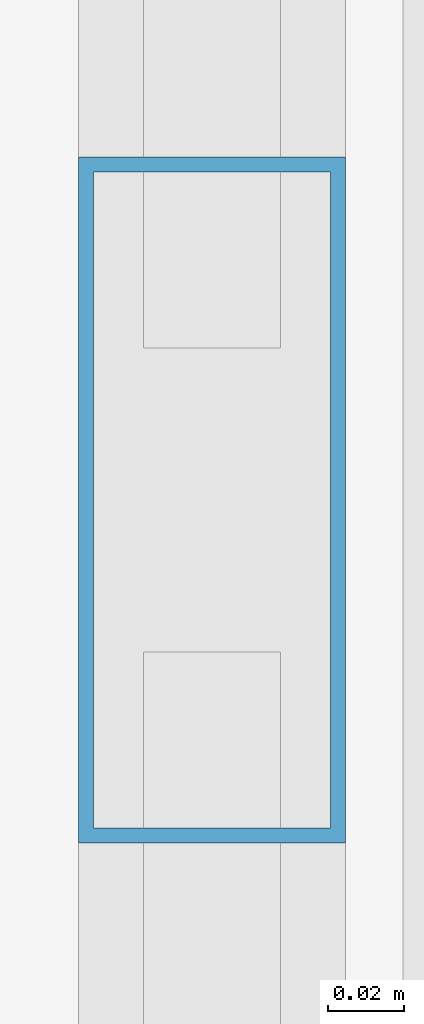
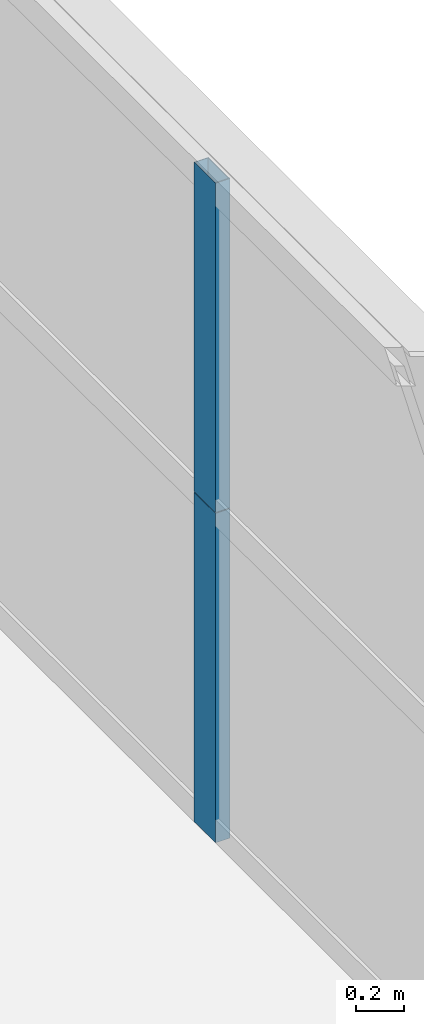
# One storey, part 17 of 38: 2 members, 1 element without a shape of its own.
"""IFC4 building model written with IfcOpenShell, lengths in metres."""

from ifc_helpers import new_model, si_unit, direction, frame, origin, origin_2d, place, context, subcontext, project, spatial, hollow_rectangle, extrude, source, transform, mapped, material, layer, layer_set, material_profile, profile_set, type_object, element, aggregate, save


model = new_model("IFC4")

# Units and contexts
model_context = context("Model", 3, precision=1e-05, world=origin(), true_north=direction((0.0, 1.0)))
body_context = subcontext(model_context, "Body", "Model", "MODEL_VIEW")
ifc_project = project(units=[si_unit("LENGTHUNIT", "METRE"), si_unit("AREAUNIT", "SQUARE_METRE"), si_unit("VOLUMEUNIT", "CUBIC_METRE"), si_unit("PLANEANGLEUNIT", "RADIAN"), si_unit("MASSUNIT", "GRAM", prefix="KILO"), si_unit("THERMODYNAMICTEMPERATUREUNIT", "KELVIN"), si_unit("POWERUNIT", "WATT")], contexts=[model_context])

# Site, building, storey
site_placement = place(None, origin())
site = spatial("IfcSite", under=ifc_project, at=site_placement, CompositionType="ELEMENT")
building_placement = place(site_placement, origin())
building = spatial("IfcBuilding", under=site, at=building_placement, Name="Yuzanri Waterfront Tower", CompositionType="ELEMENT")
storey_placement = place(building_placement, frame((0.0, 0.0, 97.39990234375)))
storey = spatial("IfcBuildingStorey", under=building, at=storey_placement, Name="L25", CompositionType="ELEMENT", Elevation=97.39990234375)

# Curtain wall, members
ifc_material_1 = material(Name="Anodized Architectural Bronze", Category="metal")
ifc_layer = layer(ifc_material_1, 0.159912109375)
ifc_layer_set = layer_set([ifc_layer], Name="Anodized Architectural Bronze")
curtain_wall_type = type_object("IfcCurtainWallType", Name="Anodized Bronze Hotel Upper-Tier Solar-Control Unitized Curtain Wall 7800", PredefinedType="NOTDEFINED", material=ifc_layer_set)
curtain_wall_placement = place(storey_placement, origin())
curtain_wall = element("IfcCurtainWall", 1, at=curtain_wall_placement, inside=storey, type_object=curtain_wall_type, Name="L25 Curtain Wall CW-L25-EL", PredefinedType="NOTDEFINED")
ifc_material_2 = material(Name="Anodized Architectural Bronze", Category="metal")
ifc_material_profile = material_profile(ifc_material_2, hollow_rectangle(XDim=0.070068359375, YDim=0.179931640625, WallThickness=0.00390625, at=origin_2d()), Name="CWM 70x180")
ifc_profile_set = profile_set([ifc_material_profile], Name="Anodized Architectural Bronze")
member_type = type_object("IfcMemberType", Name="Anodized Bronze Standard Curtain-Wall Mullion 70x180", PredefinedType="MULLION", material=ifc_profile_set)
shared_shape = source(origin(), body_context, "Body", "SweptSolid", [
    extrude(hollow_rectangle(XDim=0.070068359375, YDim=0.179931640625, WallThickness=0.00390625, at=origin_2d()), origin(), (0.0, 0.0, 1.0), 1.68798828125),
])
member_1_placement = place(storey_placement, frame((60.449951171875, 17.449951171875, 0.0), z_axis=(0.0, 0.0, 1.0), x_axis=(1.0, 0.0, 0.0)))
member_1 = element("IfcMember", 2, at=member_1_placement, type_object=member_type, Name="CW-L25-EL Lower Mullion 01", PredefinedType="MULLION", context=body_context, shape_type="MappedRepresentation", body=[
    mapped(shared_shape, transform((0.0, 0.0, 0.0), scale=1.0)),
])
member_2_placement = place(storey_placement, frame((60.449951171875, 17.449951171875, 1.692138671875), z_axis=(0.0, 0.0, 1.0), x_axis=(1.0, 0.0, 0.0)))
member_2 = element("IfcMember", 3, at=member_2_placement, type_object=member_type, Name="CW-L25-EL Upper Mullion 01", PredefinedType="MULLION", context=body_context, shape_type="MappedRepresentation", body=[
    mapped(shared_shape, transform((0.0, 0.0, 0.0), scale=1.0)),
])
aggregate(curtain_wall, [member_1, member_2])

save(model, "model.ifc")
